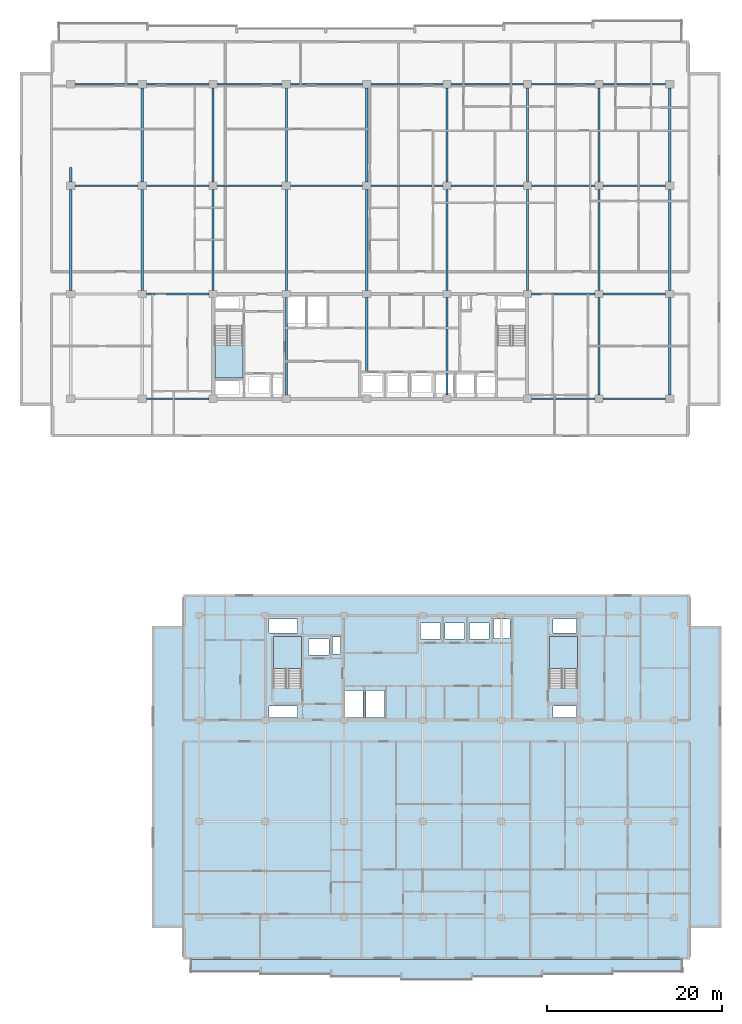
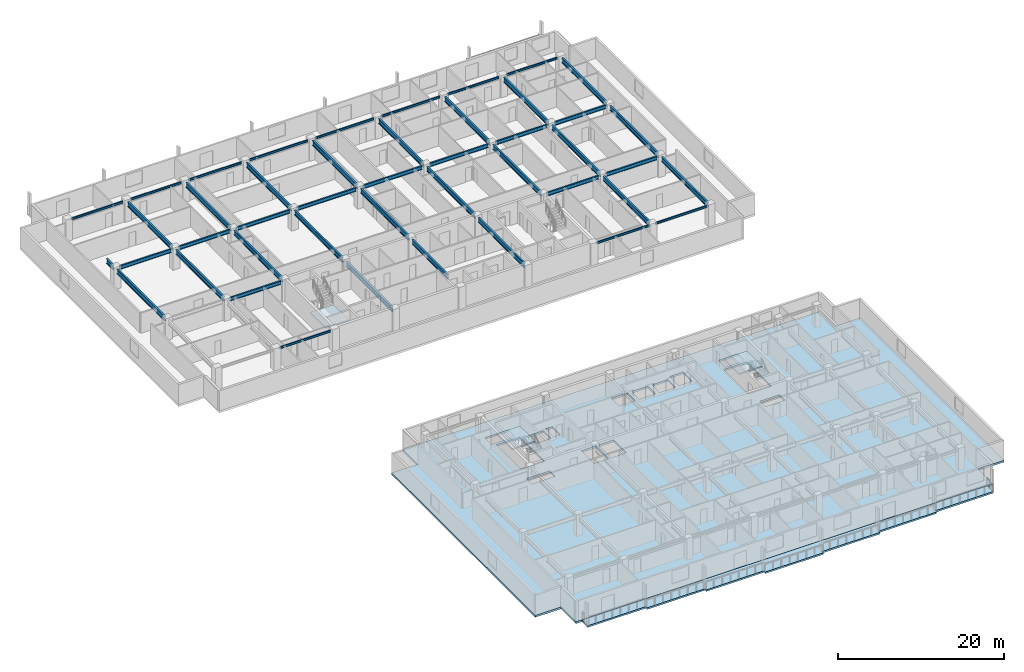
# One storey, part 2 of 21: 45 beams, 5 slabs, 3 elements without a shape of their own.
"""IFC4 building model written with IfcOpenShell, lengths in metres."""

from ifc_helpers import new_model, si_unit, direction, frame, origin, origin_2d, place, context, subcontext, project, spatial, polyline, i_section, outline, extrude, material, layer, layer_set, material_profile, profile_set, type_object, element, aggregate, save


model = new_model("IFC4")

# Units and contexts
model_context = context("Model", 3, precision=1e-05, world=origin(), true_north=direction((0.0, 1.0)))
body_context = subcontext(model_context, "Body", "Model", "MODEL_VIEW")
ifc_project = project(units=[si_unit("LENGTHUNIT", "METRE"), si_unit("AREAUNIT", "SQUARE_METRE"), si_unit("VOLUMEUNIT", "CUBIC_METRE"), si_unit("PLANEANGLEUNIT", "RADIAN"), si_unit("MASSUNIT", "GRAM", prefix="KILO")], contexts=[model_context])

# Site, building, storey
site_placement = place(None, origin())
site = spatial("IfcSite", under=ifc_project, at=site_placement, CompositionType="ELEMENT")
building_placement = place(site_placement, origin())
building = spatial("IfcBuilding", under=site, at=building_placement, Name="Korimba Cascade Residences", CompositionType="ELEMENT")
storey_placement = place(building_placement, frame((0.0, 0.0, 116.550048828125)))
storey = spatial("IfcBuildingStorey", under=building, at=storey_placement, Name="L33", CompositionType="ELEMENT", Elevation=116.550048828125)

# Beams
ifc_material_1 = material(Name="Steel S355", Category="steel")
ifc_material_profile_1 = material_profile(ifc_material_1, i_section(OverallWidth=0.165771484375, OverallDepth=0.306640625, WebThickness=0.006591796875, FlangeThickness=0.01171875, FilletRadius=0.0087890625, at=origin_2d()), Name="Steel S355")
ifc_profile_set_1 = profile_set([ifc_material_profile_1], Name="Steel S355")
beam_type_1 = type_object("IfcBeamType", Name="BM-STL-UB305", PredefinedType="SPANDREL", material=ifc_profile_set_1)
beam_1_placement = place(storey_placement, frame((68.47509765625, 55.199951171875, 2.816650390625), z_axis=(1.0, 0.0, 0.0), x_axis=(0.0, 1.0, 0.0)))
element("IfcBeam", 1, at=beam_1_placement, inside=storey, type_object=beam_type_1, Name="L33 T1 E-W Girder Y1 Bay 2", PredefinedType="SPANDREL", context=body_context, shape_type="SweptSolid", body=[
    extrude(i_section(OverallWidth=0.165771484375, OverallDepth=0.306640625, WebThickness=0.006591796875, FlangeThickness=0.01171875, FilletRadius=0.0087890625, at=origin_2d()), origin(), (0.0, 0.0, 1.0), 7.14990234375),
])
beam_2_placement = place(storey_placement, frame((112.574951171875, 55.199951171875, 2.816650390625), z_axis=(1.0, 0.0, 0.0), x_axis=(0.0, 1.0, 0.0)))
element("IfcBeam", 2, at=beam_2_placement, inside=storey, type_object=beam_type_1, Name="L33 T1 E-W Girder Y1 Bay 7", PredefinedType="SPANDREL", context=body_context, shape_type="SweptSolid", body=[
    extrude(i_section(OverallWidth=0.165771484375, OverallDepth=0.306640625, WebThickness=0.006591796875, FlangeThickness=0.01171875, FilletRadius=0.0087890625, at=origin_2d()), origin(), (0.0, 0.0, 1.0), 7.25),
])
beam_3_placement = place(storey_placement, frame((120.77490234375, 55.199951171875, 2.816650390625), z_axis=(1.0, 0.0, 0.0), x_axis=(0.0, 1.0, 0.0)))
element("IfcBeam", 3, at=beam_3_placement, inside=storey, type_object=beam_type_1, Name="L33 T1 E-W Girder Y1 Bay 8", PredefinedType="SPANDREL", context=body_context, shape_type="SweptSolid", body=[
    extrude(i_section(OverallWidth=0.165771484375, OverallDepth=0.306640625, WebThickness=0.006591796875, FlangeThickness=0.01171875, FilletRadius=0.0087890625, at=origin_2d()), origin(), (0.0, 0.0, 1.0), 7.150146484375),
])
beam_4_placement = place(storey_placement, frame((60.27490234375, 91.199951171875, 2.816650390625), z_axis=(1.0, 0.0, 0.0), x_axis=(0.0, 1.0, 0.0)))
element("IfcBeam", 4, at=beam_4_placement, inside=storey, type_object=beam_type_1, Name="L33 T1 E-W Girder Y4 Bay 1", PredefinedType="SPANDREL", context=body_context, shape_type="SweptSolid", body=[
    extrude(i_section(OverallWidth=0.165771484375, OverallDepth=0.306640625, WebThickness=0.006591796875, FlangeThickness=0.01171875, FilletRadius=0.0087890625, at=origin_2d()), origin(), (0.0, 0.0, 1.0), 7.25),
])
beam_5_placement = place(storey_placement, frame((68.47509765625, 91.199951171875, 2.816650390625), z_axis=(1.0, 0.0, 0.0), x_axis=(0.0, 1.0, 0.0)))
element("IfcBeam", 5, at=beam_5_placement, inside=storey, type_object=beam_type_1, Name="L33 T1 E-W Girder Y4 Bay 2", PredefinedType="SPANDREL", context=body_context, shape_type="SweptSolid", body=[
    extrude(i_section(OverallWidth=0.165771484375, OverallDepth=0.306640625, WebThickness=0.006591796875, FlangeThickness=0.01171875, FilletRadius=0.0087890625, at=origin_2d()), origin(), (0.0, 0.0, 1.0), 7.14990234375),
])
beam_6_placement = place(storey_placement, frame((76.574951171875, 91.199951171875, 2.816650390625), z_axis=(1.0, 0.0, 0.0), x_axis=(0.0, 1.0, 0.0)))
element("IfcBeam", 6, at=beam_6_placement, inside=storey, type_object=beam_type_1, Name="L33 T1 E-W Girder Y4 Bay 3", PredefinedType="SPANDREL", context=body_context, shape_type="SweptSolid", body=[
    extrude(i_section(OverallWidth=0.165771484375, OverallDepth=0.306640625, WebThickness=0.006591796875, FlangeThickness=0.01171875, FilletRadius=0.0087890625, at=origin_2d()), origin(), (0.0, 0.0, 1.0), 7.449951171875),
])
for number, where, z_axis, x_axis, name in (
    (7, (84.97509765625, 91.199951171875, 2.816650390625), (1.0, 0.0, 0.0), (0.0, 1.0, 0.0), "L33 T1 E-W Girder Y4 Bay 4"),
    (8, (94.175048828125, 91.199951171875, 2.816650390625), (1.0, 0.0, 0.0), (0.0, 1.0, 0.0), "L33 T1 E-W Girder Y4 Bay 5"),
    (9, (103.375, 91.199951171875, 2.816650390625), (1.0, 0.0, 0.0), (0.0, 1.0, 0.0), "L33 T1 E-W Girder Y4 Bay 6"),
):
    element("IfcBeam", number, at=place(storey_placement, frame(where, z_axis=z_axis, x_axis=x_axis)), inside=storey, type_object=beam_type_1, Name=name, PredefinedType="SPANDREL", context=body_context, shape_type="SweptSolid", body=[
        extrude(i_section(OverallWidth=0.165771484375, OverallDepth=0.306640625, WebThickness=0.006591796875, FlangeThickness=0.01171875, FilletRadius=0.0087890625, at=origin_2d()), origin(), (0.0, 0.0, 1.0), 8.25),
    ])
beam_7_placement = place(storey_placement, frame((112.574951171875, 91.199951171875, 2.816650390625), z_axis=(1.0, 0.0, 0.0), x_axis=(0.0, 1.0, 0.0)))
element("IfcBeam", 10, at=beam_7_placement, inside=storey, type_object=beam_type_1, Name="L33 T1 E-W Girder Y4 Bay 7", PredefinedType="SPANDREL", context=body_context, shape_type="SweptSolid", body=[
    extrude(i_section(OverallWidth=0.165771484375, OverallDepth=0.306640625, WebThickness=0.006591796875, FlangeThickness=0.01171875, FilletRadius=0.0087890625, at=origin_2d()), origin(), (0.0, 0.0, 1.0), 7.25),
])
beam_8_placement = place(storey_placement, frame((120.77490234375, 91.199951171875, 2.816650390625), z_axis=(1.0, 0.0, 0.0), x_axis=(0.0, 1.0, 0.0)))
element("IfcBeam", 11, at=beam_8_placement, inside=storey, type_object=beam_type_1, Name="L33 T1 E-W Girder Y4 Bay 8", PredefinedType="SPANDREL", context=body_context, shape_type="SweptSolid", body=[
    extrude(i_section(OverallWidth=0.165771484375, OverallDepth=0.306640625, WebThickness=0.006591796875, FlangeThickness=0.01171875, FilletRadius=0.0087890625, at=origin_2d()), origin(), (0.0, 0.0, 1.0), 7.150146484375),
])
ifc_material_profile_2 = material_profile(ifc_material_1, i_section(OverallWidth=0.2099609375, OverallDepth=0.53662109375, WebThickness=0.0107421875, FlangeThickness=0.017333984375, FilletRadius=0.0126953125, at=origin_2d()), Name="Steel S355")
ifc_profile_set_2 = profile_set([ifc_material_profile_2], Name="Steel S355")
beam_type_2 = type_object("IfcBeamType", Name="BM-STL-UB533", PredefinedType="BEAM", material=ifc_profile_set_2)
beam_9_placement = place(storey_placement, frame((68.47509765625, 67.199951171875, 2.70166015625), z_axis=(1.0, 0.0, 0.0), x_axis=(0.0, 1.0, 0.0)))
element("IfcBeam", 12, at=beam_9_placement, inside=storey, type_object=beam_type_2, Name="L33 T1 E-W Girder Y2 Bay 2", PredefinedType="BEAM", context=body_context, shape_type="SweptSolid", body=[
    extrude(i_section(OverallWidth=0.2099609375, OverallDepth=0.53662109375, WebThickness=0.0107421875, FlangeThickness=0.017333984375, FilletRadius=0.0126953125, at=origin_2d()), origin(), (0.0, 0.0, 1.0), 7.14990234375),
])
beam_10_placement = place(storey_placement, frame((112.574951171875, 67.199951171875, 2.70166015625), z_axis=(1.0, 0.0, 0.0), x_axis=(0.0, 1.0, 0.0)))
element("IfcBeam", 13, at=beam_10_placement, inside=storey, type_object=beam_type_2, Name="L33 T1 E-W Girder Y2 Bay 7", PredefinedType="BEAM", context=body_context, shape_type="SweptSolid", body=[
    extrude(i_section(OverallWidth=0.2099609375, OverallDepth=0.53662109375, WebThickness=0.0107421875, FlangeThickness=0.017333984375, FilletRadius=0.0126953125, at=origin_2d()), origin(), (0.0, 0.0, 1.0), 7.25),
])
beam_11_placement = place(storey_placement, frame((120.77490234375, 67.199951171875, 2.70166015625), z_axis=(1.0, 0.0, 0.0), x_axis=(0.0, 1.0, 0.0)))
element("IfcBeam", 14, at=beam_11_placement, inside=storey, type_object=beam_type_2, Name="L33 T1 E-W Girder Y2 Bay 8", PredefinedType="BEAM", context=body_context, shape_type="SweptSolid", body=[
    extrude(i_section(OverallWidth=0.2099609375, OverallDepth=0.53662109375, WebThickness=0.0107421875, FlangeThickness=0.017333984375, FilletRadius=0.0126953125, at=origin_2d()), origin(), (0.0, 0.0, 1.0), 7.150146484375),
])
beam_12_placement = place(storey_placement, frame((60.27490234375, 79.60009765625, 2.70166015625), z_axis=(1.0, 0.0, 0.0), x_axis=(0.0, 1.0, 0.0)))
element("IfcBeam", 15, at=beam_12_placement, inside=storey, type_object=beam_type_2, Name="L33 T1 E-W Girder Y3 Bay 1", PredefinedType="BEAM", context=body_context, shape_type="SweptSolid", body=[
    extrude(i_section(OverallWidth=0.2099609375, OverallDepth=0.53662109375, WebThickness=0.0107421875, FlangeThickness=0.017333984375, FilletRadius=0.0126953125, at=origin_2d()), origin(), (0.0, 0.0, 1.0), 7.25),
])
beam_13_placement = place(storey_placement, frame((68.47509765625, 79.60009765625, 2.70166015625), z_axis=(1.0, 0.0, 0.0), x_axis=(0.0, 1.0, 0.0)))
element("IfcBeam", 16, at=beam_13_placement, inside=storey, type_object=beam_type_2, Name="L33 T1 E-W Girder Y3 Bay 2", PredefinedType="BEAM", context=body_context, shape_type="SweptSolid", body=[
    extrude(i_section(OverallWidth=0.2099609375, OverallDepth=0.53662109375, WebThickness=0.0107421875, FlangeThickness=0.017333984375, FilletRadius=0.0126953125, at=origin_2d()), origin(), (0.0, 0.0, 1.0), 7.14990234375),
])
beam_14_placement = place(storey_placement, frame((76.574951171875, 79.60009765625, 2.70166015625), z_axis=(1.0, 0.0, 0.0), x_axis=(0.0, 1.0, 0.0)))
element("IfcBeam", 17, at=beam_14_placement, inside=storey, type_object=beam_type_2, Name="L33 T1 E-W Girder Y3 Bay 3", PredefinedType="BEAM", context=body_context, shape_type="SweptSolid", body=[
    extrude(i_section(OverallWidth=0.2099609375, OverallDepth=0.53662109375, WebThickness=0.0107421875, FlangeThickness=0.017333984375, FilletRadius=0.0126953125, at=origin_2d()), origin(), (0.0, 0.0, 1.0), 7.449951171875),
])
for number, where, z_axis, x_axis, name in (
    (18, (84.97509765625, 79.60009765625, 2.70166015625), (1.0, 0.0, 0.0), (0.0, 1.0, 0.0), "L33 T1 E-W Girder Y3 Bay 4"),
    (19, (94.175048828125, 79.60009765625, 2.70166015625), (1.0, 0.0, 0.0), (0.0, 1.0, 0.0), "L33 T1 E-W Girder Y3 Bay 5"),
    (20, (103.375, 79.60009765625, 2.70166015625), (1.0, 0.0, 0.0), (0.0, 1.0, 0.0), "L33 T1 E-W Girder Y3 Bay 6"),
):
    element("IfcBeam", number, at=place(storey_placement, frame(where, z_axis=z_axis, x_axis=x_axis)), inside=storey, type_object=beam_type_2, Name=name, PredefinedType="BEAM", context=body_context, shape_type="SweptSolid", body=[
        extrude(i_section(OverallWidth=0.2099609375, OverallDepth=0.53662109375, WebThickness=0.0107421875, FlangeThickness=0.017333984375, FilletRadius=0.0126953125, at=origin_2d()), origin(), (0.0, 0.0, 1.0), 8.25),
    ])
beam_15_placement = place(storey_placement, frame((112.574951171875, 79.60009765625, 2.70166015625), z_axis=(1.0, 0.0, 0.0), x_axis=(0.0, 1.0, 0.0)))
element("IfcBeam", 21, at=beam_15_placement, inside=storey, type_object=beam_type_2, Name="L33 T1 E-W Girder Y3 Bay 7", PredefinedType="BEAM", context=body_context, shape_type="SweptSolid", body=[
    extrude(i_section(OverallWidth=0.2099609375, OverallDepth=0.53662109375, WebThickness=0.0107421875, FlangeThickness=0.017333984375, FilletRadius=0.0126953125, at=origin_2d()), origin(), (0.0, 0.0, 1.0), 7.25),
])
beam_16_placement = place(storey_placement, frame((120.77490234375, 79.60009765625, 2.70166015625), z_axis=(1.0, 0.0, 0.0), x_axis=(0.0, 1.0, 0.0)))
element("IfcBeam", 22, at=beam_16_placement, inside=storey, type_object=beam_type_2, Name="L33 T1 E-W Girder Y3 Bay 8", PredefinedType="BEAM", context=body_context, shape_type="SweptSolid", body=[
    extrude(i_section(OverallWidth=0.2099609375, OverallDepth=0.53662109375, WebThickness=0.0107421875, FlangeThickness=0.017333984375, FilletRadius=0.0126953125, at=origin_2d()), origin(), (0.0, 0.0, 1.0), 7.150146484375),
])
ifc_material_profile_3 = material_profile(ifc_material_1, i_section(OverallWidth=0.255859375, OverallDepth=0.69287109375, WebThickness=0.014404296875, FlangeThickness=0.023681640625, FilletRadius=0.01513671875, at=origin_2d()), Name="Steel S355")
ifc_profile_set_3 = profile_set([ifc_material_profile_3], Name="Steel S355")
beam_type_3 = type_object("IfcBeamType", Name="BM-STL-UB686", PredefinedType="BEAM", material=ifc_profile_set_3)
beam_17_placement = place(storey_placement, frame((59.800048828125, 67.625, 2.62353515625), z_axis=(0.0, 1.0, 0.0), x_axis=(-1.0, 0.0, 0.0)))
element("IfcBeam", 23, at=beam_17_placement, inside=storey, type_object=beam_type_3, Name="L33 T1 N-S Girder X1 Seg 2", PredefinedType="BEAM", context=body_context, shape_type="SweptSolid", body=[
    extrude(i_section(OverallWidth=0.255859375, OverallDepth=0.69287109375, WebThickness=0.014404296875, FlangeThickness=0.023681640625, FilletRadius=0.01513671875, at=origin_2d()), origin(), (0.0, 0.0, 1.0), 11.550048828125),
])
beam_18_placement = place(storey_placement, frame((59.800048828125, 80.02490234375, 2.62353515625), z_axis=(0.0, 1.0, 0.0), x_axis=(-1.0, 0.0, 0.0)))
element("IfcBeam", 24, at=beam_18_placement, inside=storey, type_object=beam_type_3, Name="L33 T1 N-S Girder X1 Seg 3", PredefinedType="BEAM", context=body_context, shape_type="SweptSolid", body=[
    extrude(i_section(OverallWidth=0.255859375, OverallDepth=0.69287109375, WebThickness=0.014404296875, FlangeThickness=0.023681640625, FilletRadius=0.01513671875, at=origin_2d()), origin(), (0.0, 0.0, 1.0), 1.675048828125),
])
beam_19_placement = place(storey_placement, frame((68.0, 67.625, 2.62353515625), z_axis=(0.0, 1.0, 0.0), x_axis=(-1.0, 0.0, 0.0)))
element("IfcBeam", 25, at=beam_19_placement, inside=storey, type_object=beam_type_3, Name="L33 T1 N-S Girder X2 Seg 2", PredefinedType="BEAM", context=body_context, shape_type="SweptSolid", body=[
    extrude(i_section(OverallWidth=0.255859375, OverallDepth=0.69287109375, WebThickness=0.014404296875, FlangeThickness=0.023681640625, FilletRadius=0.01513671875, at=origin_2d()), origin(), (0.0, 0.0, 1.0), 11.550048828125),
])
beam_20_placement = place(storey_placement, frame((68.0, 80.02490234375, 2.62353515625), z_axis=(0.0, 1.0, 0.0), x_axis=(-1.0, 0.0, 0.0)))
element("IfcBeam", 26, at=beam_20_placement, inside=storey, type_object=beam_type_3, Name="L33 T1 N-S Girder X2 Seg 3", PredefinedType="BEAM", context=body_context, shape_type="SweptSolid", body=[
    extrude(i_section(OverallWidth=0.255859375, OverallDepth=0.69287109375, WebThickness=0.014404296875, FlangeThickness=0.023681640625, FilletRadius=0.01513671875, at=origin_2d()), origin(), (0.0, 0.0, 1.0), 10.75),
])
beam_21_placement = place(storey_placement, frame((76.10009765625, 67.625, 2.62353515625), z_axis=(0.0, 1.0, 0.0), x_axis=(-1.0, 0.0, 0.0)))
element("IfcBeam", 27, at=beam_21_placement, inside=storey, type_object=beam_type_3, Name="L33 T1 N-S Girder X3 Seg 2", PredefinedType="BEAM", context=body_context, shape_type="SweptSolid", body=[
    extrude(i_section(OverallWidth=0.255859375, OverallDepth=0.69287109375, WebThickness=0.014404296875, FlangeThickness=0.023681640625, FilletRadius=0.01513671875, at=origin_2d()), origin(), (0.0, 0.0, 1.0), 11.550048828125),
])
beam_22_placement = place(storey_placement, frame((76.10009765625, 80.02490234375, 2.62353515625), z_axis=(0.0, 1.0, 0.0), x_axis=(-1.0, 0.0, 0.0)))
element("IfcBeam", 28, at=beam_22_placement, inside=storey, type_object=beam_type_3, Name="L33 T1 N-S Girder X3 Seg 3", PredefinedType="BEAM", context=body_context, shape_type="SweptSolid", body=[
    extrude(i_section(OverallWidth=0.255859375, OverallDepth=0.69287109375, WebThickness=0.014404296875, FlangeThickness=0.023681640625, FilletRadius=0.01513671875, at=origin_2d()), origin(), (0.0, 0.0, 1.0), 10.75),
])
beam_23_placement = place(storey_placement, frame((84.5, 55.625, 2.62353515625), z_axis=(0.0, 1.0, 0.0), x_axis=(-1.0, 0.0, 0.0)))
element("IfcBeam", 29, at=beam_23_placement, inside=storey, type_object=beam_type_3, Name="L33 T1 N-S Girder X4 Seg 1", PredefinedType="BEAM", context=body_context, shape_type="SweptSolid", body=[
    extrude(i_section(OverallWidth=0.255859375, OverallDepth=0.69287109375, WebThickness=0.014404296875, FlangeThickness=0.023681640625, FilletRadius=0.01513671875, at=origin_2d()), origin(), (0.0, 0.0, 1.0), 11.14990234375),
])
beam_24_placement = place(storey_placement, frame((84.5, 67.625, 2.62353515625), z_axis=(0.0, 1.0, 0.0), x_axis=(-1.0, 0.0, 0.0)))
element("IfcBeam", 30, at=beam_24_placement, inside=storey, type_object=beam_type_3, Name="L33 T1 N-S Girder X4 Seg 2", PredefinedType="BEAM", context=body_context, shape_type="SweptSolid", body=[
    extrude(i_section(OverallWidth=0.255859375, OverallDepth=0.69287109375, WebThickness=0.014404296875, FlangeThickness=0.023681640625, FilletRadius=0.01513671875, at=origin_2d()), origin(), (0.0, 0.0, 1.0), 11.550048828125),
])
beam_25_placement = place(storey_placement, frame((84.5, 80.02490234375, 2.62353515625), z_axis=(0.0, 1.0, 0.0), x_axis=(-1.0, 0.0, 0.0)))
element("IfcBeam", 31, at=beam_25_placement, inside=storey, type_object=beam_type_3, Name="L33 T1 N-S Girder X4 Seg 3", PredefinedType="BEAM", context=body_context, shape_type="SweptSolid", body=[
    extrude(i_section(OverallWidth=0.255859375, OverallDepth=0.69287109375, WebThickness=0.014404296875, FlangeThickness=0.023681640625, FilletRadius=0.01513671875, at=origin_2d()), origin(), (0.0, 0.0, 1.0), 10.75),
])
beam_26_placement = place(storey_placement, frame((93.699951171875, 58.159912109375, 2.62353515625), z_axis=(0.0, 1.0, 0.0), x_axis=(-1.0, 0.0, 0.0)))
element("IfcBeam", 32, at=beam_26_placement, inside=storey, type_object=beam_type_3, Name="L33 T1 N-S Girder X5 Seg 1", PredefinedType="BEAM", context=body_context, shape_type="SweptSolid", body=[
    extrude(i_section(OverallWidth=0.255859375, OverallDepth=0.69287109375, WebThickness=0.014404296875, FlangeThickness=0.023681640625, FilletRadius=0.01513671875, at=origin_2d()), origin(), (0.0, 0.0, 1.0), 8.614990234375),
])
beam_27_placement = place(storey_placement, frame((93.699951171875, 67.625, 2.62353515625), z_axis=(0.0, 1.0, 0.0), x_axis=(-1.0, 0.0, 0.0)))
element("IfcBeam", 33, at=beam_27_placement, inside=storey, type_object=beam_type_3, Name="L33 T1 N-S Girder X5 Seg 2", PredefinedType="BEAM", context=body_context, shape_type="SweptSolid", body=[
    extrude(i_section(OverallWidth=0.255859375, OverallDepth=0.69287109375, WebThickness=0.014404296875, FlangeThickness=0.023681640625, FilletRadius=0.01513671875, at=origin_2d()), origin(), (0.0, 0.0, 1.0), 11.550048828125),
])
beam_28_placement = place(storey_placement, frame((93.699951171875, 80.02490234375, 2.62353515625), z_axis=(0.0, 1.0, 0.0), x_axis=(-1.0, 0.0, 0.0)))
element("IfcBeam", 34, at=beam_28_placement, inside=storey, type_object=beam_type_3, Name="L33 T1 N-S Girder X5 Seg 3", PredefinedType="BEAM", context=body_context, shape_type="SweptSolid", body=[
    extrude(i_section(OverallWidth=0.255859375, OverallDepth=0.69287109375, WebThickness=0.014404296875, FlangeThickness=0.023681640625, FilletRadius=0.01513671875, at=origin_2d()), origin(), (0.0, 0.0, 1.0), 10.75),
])
beam_29_placement = place(storey_placement, frame((102.89990234375, 55.625, 2.62353515625), z_axis=(0.0, 1.0, 0.0), x_axis=(-1.0, 0.0, 0.0)))
element("IfcBeam", 35, at=beam_29_placement, inside=storey, type_object=beam_type_3, Name="L33 T1 N-S Girder X6 Seg 1", PredefinedType="BEAM", context=body_context, shape_type="SweptSolid", body=[
    extrude(i_section(OverallWidth=0.255859375, OverallDepth=0.69287109375, WebThickness=0.014404296875, FlangeThickness=0.023681640625, FilletRadius=0.01513671875, at=origin_2d()), origin(), (0.0, 0.0, 1.0), 11.14990234375),
])
beam_30_placement = place(storey_placement, frame((102.89990234375, 67.625, 2.62353515625), z_axis=(0.0, 1.0, 0.0), x_axis=(-1.0, 0.0, 0.0)))
element("IfcBeam", 36, at=beam_30_placement, inside=storey, type_object=beam_type_3, Name="L33 T1 N-S Girder X6 Seg 2", PredefinedType="BEAM", context=body_context, shape_type="SweptSolid", body=[
    extrude(i_section(OverallWidth=0.255859375, OverallDepth=0.69287109375, WebThickness=0.014404296875, FlangeThickness=0.023681640625, FilletRadius=0.01513671875, at=origin_2d()), origin(), (0.0, 0.0, 1.0), 11.550048828125),
])
beam_31_placement = place(storey_placement, frame((102.89990234375, 80.02490234375, 2.62353515625), z_axis=(0.0, 1.0, 0.0), x_axis=(-1.0, 0.0, 0.0)))
element("IfcBeam", 37, at=beam_31_placement, inside=storey, type_object=beam_type_3, Name="L33 T1 N-S Girder X6 Seg 3", PredefinedType="BEAM", context=body_context, shape_type="SweptSolid", body=[
    extrude(i_section(OverallWidth=0.255859375, OverallDepth=0.69287109375, WebThickness=0.014404296875, FlangeThickness=0.023681640625, FilletRadius=0.01513671875, at=origin_2d()), origin(), (0.0, 0.0, 1.0), 10.75),
])
beam_32_placement = place(storey_placement, frame((112.10009765625, 67.625, 2.62353515625), z_axis=(0.0, 1.0, 0.0), x_axis=(-1.0, 0.0, 0.0)))
element("IfcBeam", 38, at=beam_32_placement, inside=storey, type_object=beam_type_3, Name="L33 T1 N-S Girder X7 Seg 2", PredefinedType="BEAM", context=body_context, shape_type="SweptSolid", body=[
    extrude(i_section(OverallWidth=0.255859375, OverallDepth=0.69287109375, WebThickness=0.014404296875, FlangeThickness=0.023681640625, FilletRadius=0.01513671875, at=origin_2d()), origin(), (0.0, 0.0, 1.0), 11.550048828125),
])
beam_33_placement = place(storey_placement, frame((112.10009765625, 80.02490234375, 2.62353515625), z_axis=(0.0, 1.0, 0.0), x_axis=(-1.0, 0.0, 0.0)))
element("IfcBeam", 39, at=beam_33_placement, inside=storey, type_object=beam_type_3, Name="L33 T1 N-S Girder X7 Seg 3", PredefinedType="BEAM", context=body_context, shape_type="SweptSolid", body=[
    extrude(i_section(OverallWidth=0.255859375, OverallDepth=0.69287109375, WebThickness=0.014404296875, FlangeThickness=0.023681640625, FilletRadius=0.01513671875, at=origin_2d()), origin(), (0.0, 0.0, 1.0), 10.75),
])
beam_34_placement = place(storey_placement, frame((120.300048828125, 55.625, 2.62353515625), z_axis=(0.0, 1.0, 0.0), x_axis=(-1.0, 0.0, 0.0)))
element("IfcBeam", 40, at=beam_34_placement, inside=storey, type_object=beam_type_3, Name="L33 T1 N-S Girder X8 Seg 1", PredefinedType="BEAM", context=body_context, shape_type="SweptSolid", body=[
    extrude(i_section(OverallWidth=0.255859375, OverallDepth=0.69287109375, WebThickness=0.014404296875, FlangeThickness=0.023681640625, FilletRadius=0.01513671875, at=origin_2d()), origin(), (0.0, 0.0, 1.0), 11.14990234375),
])
beam_35_placement = place(storey_placement, frame((120.300048828125, 67.625, 2.62353515625), z_axis=(0.0, 1.0, 0.0), x_axis=(-1.0, 0.0, 0.0)))
element("IfcBeam", 41, at=beam_35_placement, inside=storey, type_object=beam_type_3, Name="L33 T1 N-S Girder X8 Seg 2", PredefinedType="BEAM", context=body_context, shape_type="SweptSolid", body=[
    extrude(i_section(OverallWidth=0.255859375, OverallDepth=0.69287109375, WebThickness=0.014404296875, FlangeThickness=0.023681640625, FilletRadius=0.01513671875, at=origin_2d()), origin(), (0.0, 0.0, 1.0), 11.550048828125),
])
beam_36_placement = place(storey_placement, frame((120.300048828125, 80.02490234375, 2.62353515625), z_axis=(0.0, 1.0, 0.0), x_axis=(-1.0, 0.0, 0.0)))
element("IfcBeam", 42, at=beam_36_placement, inside=storey, type_object=beam_type_3, Name="L33 T1 N-S Girder X8 Seg 3", PredefinedType="BEAM", context=body_context, shape_type="SweptSolid", body=[
    extrude(i_section(OverallWidth=0.255859375, OverallDepth=0.69287109375, WebThickness=0.014404296875, FlangeThickness=0.023681640625, FilletRadius=0.01513671875, at=origin_2d()), origin(), (0.0, 0.0, 1.0), 10.75),
])
beam_37_placement = place(storey_placement, frame((128.39990234375, 55.625, 2.62353515625), z_axis=(0.0, 1.0, 0.0), x_axis=(-1.0, 0.0, 0.0)))
element("IfcBeam", 43, at=beam_37_placement, inside=storey, type_object=beam_type_3, Name="L33 T1 N-S Girder X9 Seg 1", PredefinedType="BEAM", context=body_context, shape_type="SweptSolid", body=[
    extrude(i_section(OverallWidth=0.255859375, OverallDepth=0.69287109375, WebThickness=0.014404296875, FlangeThickness=0.023681640625, FilletRadius=0.01513671875, at=origin_2d()), origin(), (0.0, 0.0, 1.0), 11.14990234375),
])
beam_38_placement = place(storey_placement, frame((128.39990234375, 67.625, 2.62353515625), z_axis=(0.0, 1.0, 0.0), x_axis=(-1.0, 0.0, 0.0)))
element("IfcBeam", 44, at=beam_38_placement, inside=storey, type_object=beam_type_3, Name="L33 T1 N-S Girder X9 Seg 2", PredefinedType="BEAM", context=body_context, shape_type="SweptSolid", body=[
    extrude(i_section(OverallWidth=0.255859375, OverallDepth=0.69287109375, WebThickness=0.014404296875, FlangeThickness=0.023681640625, FilletRadius=0.01513671875, at=origin_2d()), origin(), (0.0, 0.0, 1.0), 11.550048828125),
])
beam_39_placement = place(storey_placement, frame((128.39990234375, 80.02490234375, 2.62353515625), z_axis=(0.0, 1.0, 0.0), x_axis=(-1.0, 0.0, 0.0)))
element("IfcBeam", 45, at=beam_39_placement, inside=storey, type_object=beam_type_3, Name="L33 T1 N-S Girder X9 Seg 3", PredefinedType="BEAM", context=body_context, shape_type="SweptSolid", body=[
    extrude(i_section(OverallWidth=0.255859375, OverallDepth=0.69287109375, WebThickness=0.014404296875, FlangeThickness=0.023681640625, FilletRadius=0.01513671875, at=origin_2d()), origin(), (0.0, 0.0, 1.0), 10.75),
])

# Stair, slab
ifc_material_2 = material(Name="Concrete C50/60", Category="concrete")
stair_type_1 = type_object("IfcStairType", Name="STR-W1-18R-1806", PredefinedType="HALF_TURN_STAIR", material=ifc_material_2)
stair_1_placement = place(storey_placement, origin())
stair_1 = element("IfcStair", 46, at=stair_1_placement, inside=storey, type_object=stair_type_1, Name="L33 Tower 1 West Fire Stair ST-W1", PredefinedType="HALF_TURN_STAIR")
ifc_layer_1 = layer(ifc_material_2, 0.199951171875)
ifc_layer_set_1 = layer_set([ifc_layer_1], Name="Concrete C50/60")
slab_type_1 = type_object("IfcSlabType", Name="SLB-LND-220", PredefinedType="LANDING", material=ifc_layer_set_1)
slab_1_placement = place(storey_placement, frame((0.0, 0.0, 1.425048828125)))
slab_1 = element("IfcSlab", 47, at=slab_1_placement, type_object=slab_type_1, Name="ST-W1 landing 1", PredefinedType="LANDING", context=body_context, shape_type="SweptSolid", body=[
    extrude(outline(polyline([(76.300048828125, 61.31005859375), (76.300048828125, 57.60009765625), (79.5400390625, 57.60009765625), (79.5400390625, 61.31005859375), (76.300048828125, 61.31005859375)])), origin(), (0.0, 0.0, 1.0), 0.199951171875),
])
aggregate(stair_1, [slab_1])

stair_type_2 = type_object("IfcStairType", Name="STR-E1-18R-1806", PredefinedType="HALF_TURN_STAIR", material=ifc_material_2)
stair_2_placement = place(storey_placement, origin())
stair_2 = element("IfcStair", 48, at=stair_2_placement, inside=storey, type_object=stair_type_2, Name="L33 Tower 2 West Fire Stair ST-E1", PredefinedType="HALF_TURN_STAIR")
slab_2_placement = place(storey_placement, frame((0.0, 0.0, 1.425048828125)))
slab_2 = element("IfcSlab", 49, at=slab_2_placement, type_object=slab_type_1, Name="ST-E1 landing 1", PredefinedType="LANDING", context=body_context, shape_type="SweptSolid", body=[
    extrude(outline(polyline([(86.239990234375, 24.2900390625), (86.239990234375, 28.0), (83.0, 28.0), (83.0, 24.2900390625), (86.239990234375, 24.2900390625)])), origin(), (0.0, 0.0, 1.0), 0.199951171875),
])
aggregate(stair_2, [slab_2])

stair_type_3 = type_object("IfcStairType", Name="STR-E2-18R-1806", PredefinedType="HALF_TURN_STAIR", material=ifc_material_2)
stair_3_placement = place(storey_placement, origin())
stair_3 = element("IfcStair", 50, at=stair_3_placement, inside=storey, type_object=stair_type_3, Name="L33 Tower 2 East Fire Stair ST-E2", PredefinedType="HALF_TURN_STAIR")
slab_3_placement = place(storey_placement, frame((0.0, 0.0, 1.425048828125)))
slab_3 = element("IfcSlab", 51, at=slab_3_placement, type_object=slab_type_1, Name="ST-E2 landing 1", PredefinedType="LANDING", context=body_context, shape_type="SweptSolid", body=[
    extrude(outline(polyline([(117.840087890625, 24.2900390625), (117.840087890625, 28.0), (114.60009765625, 28.0), (114.60009765625, 24.2900390625), (117.840087890625, 24.2900390625)])), origin(), (0.0, 0.0, 1.0), 0.199951171875),
])
aggregate(stair_3, [slab_3])

# Slabs
ifc_material_3 = material(Name="Precast concrete C40/50", Category="concrete")
ifc_layer_2 = layer(ifc_material_3, 0.239990234375)
ifc_layer_set_2 = layer_set([ifc_layer_2], Name="Precast concrete C40/50")
slab_type_2 = type_object("IfcSlabType", Name="SLB-LOG-240", PredefinedType="FLOOR", material=ifc_layer_set_2)
slab_4_placement = place(storey_placement, frame((0.0, 0.0, -0.239990234375)))
element("IfcSlab", 52, at=slab_4_placement, inside=storey, type_object=slab_type_2, Name="L33 Tower 2 South Loggia Slab", PredefinedType="FLOOR", context=body_context, shape_type="SweptSolid", body=[
    extrude(outline(polyline([(73.5, -10.449951171875), (81.55712890625, -10.449951171875), (81.55712890625, -10.75), (89.6142578125, -10.75), (89.6142578125, -11.050048828125), (97.67138671875, -11.050048828125), (97.67138671875, -11.35009765625), (105.728515625, -11.35009765625), (105.728515625, -11.050048828125), (113.78564453125, -11.050048828125), (113.78564453125, -10.75), (121.843017578125, -10.75), (121.843017578125, -10.449951171875), (129.89990234375, -10.449951171875), (129.89990234375, -9.0), (73.5, -9.0), (73.5, -10.449951171875)])), origin(), (0.0, 0.0, 1.0), 0.239990234375),
])
ifc_layer_3 = layer(ifc_material_2, 0.280029296875)
ifc_layer_set_3 = layer_set([ifc_layer_3], Name="Concrete C50/60")
slab_type_3 = type_object("IfcSlabType", Name="SLB-TYP-280", PredefinedType="FLOOR", material=ifc_layer_set_3)
slab_5_placement = place(storey_placement, frame((0.0, 0.0, -0.280029296875)))
element("IfcSlab", 53, at=slab_5_placement, inside=storey, type_object=slab_type_3, Name="L33 Tower 2 Floor Slab", PredefinedType="FLOOR", context=body_context, shape_type="SweptSolid", body=[
    extrude(outline(polyline([(72.699951171875, -9.0), (130.699951171875, -9.0), (130.699951171875, -5.39990234375), (134.300048828125, -5.39990234375), (134.300048828125, 29.199951171875), (130.699951171875, 29.199951171875), (130.699951171875, 32.800048828125), (72.699951171875, 32.800048828125), (72.699951171875, 29.199951171875), (69.10009765625, 29.199951171875), (69.10009765625, -5.39990234375), (72.699951171875, -5.39990234375), (72.699951171875, -9.0)]), holes=[polyline([(86.239990234375, 22.0849609375), (86.239990234375, 28.0), (83.0, 28.0), (83.0, 22.0849609375), (86.239990234375, 22.0849609375)]), polyline([(117.840087890625, 22.0849609375), (117.840087890625, 28.0), (114.60009765625, 28.0), (114.60009765625, 22.0849609375), (117.840087890625, 22.0849609375)]), polyline([(87.030029296875, 25.8798828125), (89.3701171875, 25.8798828125), (89.3701171875, 27.719970703125), (87.030029296875, 27.719970703125), (87.030029296875, 25.8798828125)]), polyline([(99.8798828125, 27.679931640625), (102.1201171875, 27.679931640625), (102.1201171875, 29.52001953125), (99.8798828125, 29.52001953125), (99.8798828125, 27.679931640625)]), polyline([(102.679931640625, 27.679931640625), (104.919921875, 27.679931640625), (104.919921875, 29.52001953125), (102.679931640625, 29.52001953125), (102.679931640625, 27.679931640625)]), polyline([(105.47998046875, 27.679931640625), (107.719970703125, 27.679931640625), (107.719970703125, 29.52001953125), (105.47998046875, 29.52001953125), (105.47998046875, 27.679931640625)]), polyline([(89.780029296875, 25.97998046875), (90.719970703125, 25.97998046875), (90.719970703125, 27.919921875), (89.780029296875, 27.919921875), (89.780029296875, 25.97998046875)]), polyline([(82.530029296875, 18.72998046875), (85.800048828125, 18.72998046875), (85.800048828125, 20.0400390625), (82.530029296875, 20.0400390625), (82.530029296875, 18.72998046875)]), polyline([(82.530029296875, 28.360107421875), (85.800048828125, 28.360107421875), (85.800048828125, 29.969970703125), (82.530029296875, 29.969970703125), (82.530029296875, 28.360107421875)]), polyline([(108.22998046875, 27.780029296875), (110.1201171875, 27.780029296875), (110.1201171875, 29.969970703125), (108.22998046875, 29.969970703125), (108.22998046875, 27.780029296875)]), polyline([(91.22998046875, 18.72998046875), (93.27001953125, 18.72998046875), (93.27001953125, 21.780029296875), (91.22998046875, 21.780029296875), (91.22998046875, 18.72998046875)]), polyline([(93.6298828125, 18.72998046875), (95.719970703125, 18.72998046875), (95.719970703125, 21.780029296875), (93.6298828125, 21.780029296875), (93.6298828125, 18.72998046875)]), polyline([(115.02001953125, 18.72998046875), (117.739990234375, 18.72998046875), (117.739990234375, 20.0400390625), (115.02001953125, 20.0400390625), (115.02001953125, 18.72998046875)]), polyline([(115.02001953125, 28.360107421875), (117.739990234375, 28.360107421875), (117.739990234375, 29.969970703125), (115.02001953125, 29.969970703125), (115.02001953125, 28.360107421875)])]), origin(), (0.0, 0.0, 1.0), 0.280029296875),
])

save(model, "model.ifc")
